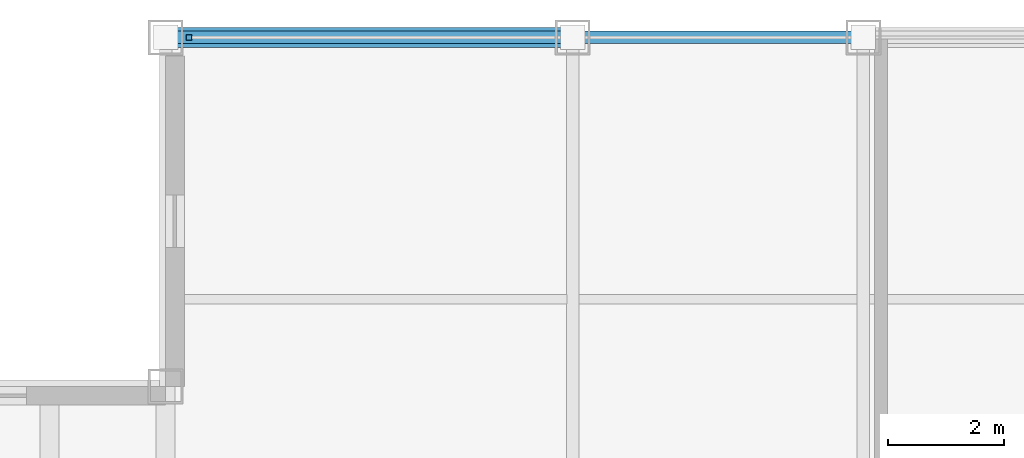
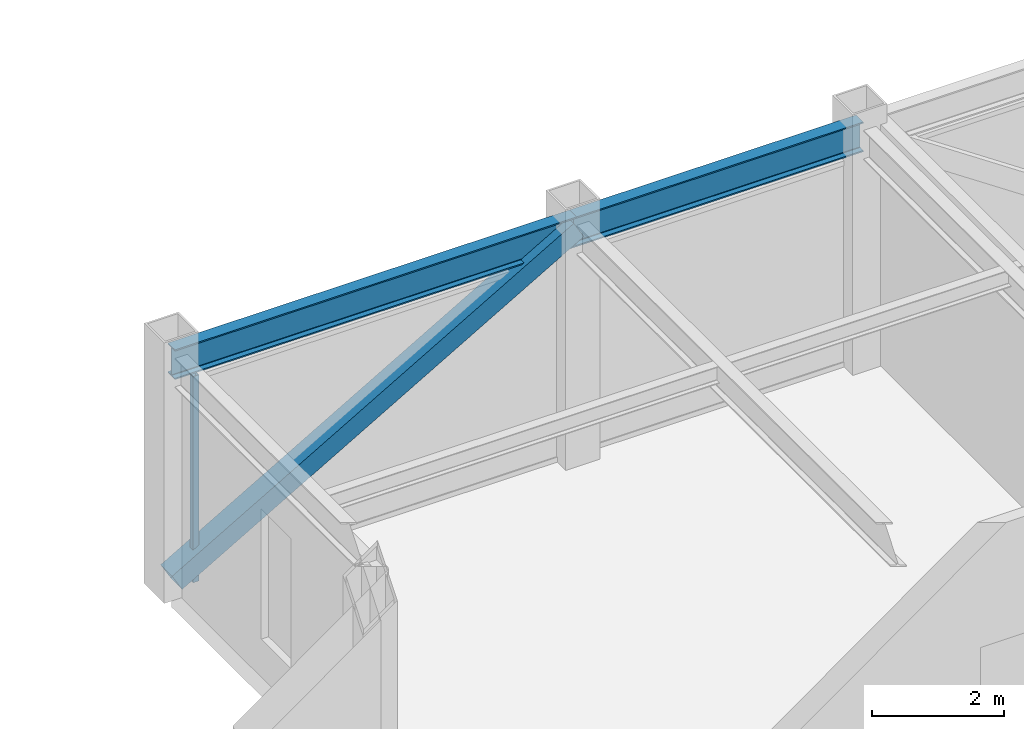
# One storey, part 16 of 27: 2 beams, 2 members, 1 element without a shape of its own.
"""IFC4 building model written with IfcOpenShell, lengths in metres."""

from ifc_helpers import new_model, si_unit, direction, frame, origin, origin_2d, place, context, subcontext, project, spatial, hollow_rectangle, i_section, extrude, source, transform, mapped, material, material_profile, profile_set, type_object, element, aggregate, save


model = new_model("IFC4")

# Units and contexts
model_context = context("Model", 3, precision=1e-05, world=origin(), true_north=direction((0.0, 1.0)))
body_context = subcontext(model_context, "Body", "Model", "MODEL_VIEW")
ifc_project = project(units=[si_unit("LENGTHUNIT", "METRE"), si_unit("AREAUNIT", "SQUARE_METRE"), si_unit("VOLUMEUNIT", "CUBIC_METRE"), si_unit("PLANEANGLEUNIT", "RADIAN"), si_unit("MASSUNIT", "GRAM", prefix="KILO")], contexts=[model_context])

# Site, building, storey
site_placement = place(None, origin())
site = spatial("IfcSite", under=ifc_project, at=site_placement, CompositionType="ELEMENT")
building_placement = place(site_placement, origin())
building = spatial("IfcBuilding", under=site, at=building_placement, Name="Khorayat Bourse Tower", CompositionType="ELEMENT")
storey_placement = place(building_placement, frame((0.0, 0.0, 380.300048828125)))
storey = spatial("IfcBuildingStorey", under=building, at=storey_placement, Name="L90", CompositionType="ELEMENT", Elevation=380.300048828125)

# Beams
ifc_material_1 = material(Name="Steel ASTM A992 Grade 50", Category="steel")
ifc_material_profile_1 = material_profile(ifc_material_1, i_section(OverallWidth=0.214111328125, OverallDepth=0.549072265625, WebThickness=0.0146484375, FlangeThickness=0.023681640625, FilletRadius=0.013916015625, at=origin_2d()), Name="W530X138")
ifc_profile_set_1 = profile_set([ifc_material_profile_1], Name="Steel ASTM A992 Grade 50")
beam_type = type_object("IfcBeamType", Name="BM-SPAN-530", PredefinedType="SPANDREL", material=ifc_profile_set_1)
shared_shape_1 = source(origin(), body_context, "Body", "SweptSolid", [
    extrude(i_section(OverallWidth=0.214111328125, OverallDepth=0.549072265625, WebThickness=0.0146484375, FlangeThickness=0.023681640625, FilletRadius=0.013916015625, at=origin_2d()), origin(), (0.0, 0.0, 1.0), 5.0),
])
beam_1_placement = place(storey_placement, frame((-11.0, 24.0, 4.175537109375), z_axis=(1.0, 0.0, 0.0), x_axis=(0.0, 1.0, 0.0)))
element("IfcBeam", 1, at=beam_1_placement, inside=storey, type_object=beam_type, Name="L90 BM-SPAN-530 BM-L90-SPN-044", PredefinedType="SPANDREL", context=body_context, shape_type="MappedRepresentation", body=[
    mapped(shared_shape_1, transform((0.0, 0.0, 0.0), scale=1.0)),
])
shared_shape_2 = source(origin(), body_context, "Body", "SweptSolid", [
    extrude(i_section(OverallWidth=0.214111328125, OverallDepth=0.549072265625, WebThickness=0.0146484375, FlangeThickness=0.023681640625, FilletRadius=0.013916015625, at=origin_2d()), origin(), (0.0, 0.0, 1.0), 7.0),
])
beam_2_placement = place(storey_placement, frame((-18.0, 24.0, 4.175537109375), z_axis=(1.0, 0.0, 0.0), x_axis=(0.0, 1.0, 0.0)))
element("IfcBeam", 2, at=beam_2_placement, inside=storey, type_object=beam_type, Name="L90 BM-SPAN-530 BM-L90-SPN-045", PredefinedType="SPANDREL", context=body_context, shape_type="MappedRepresentation", body=[
    mapped(shared_shape_2, transform((0.0, 0.0, 0.0), scale=1.0)),
])

# Member
ifc_material_2 = material(Name="Steel EN 10025-2 S355J2", Category="steel")
ifc_material_profile_2 = material_profile(ifc_material_2, hollow_rectangle(XDim=0.35009765625, YDim=0.35009765625, WallThickness=0.02001953125, at=origin_2d()), Name="HSS 350x350x20")
ifc_profile_set_2 = profile_set([ifc_material_profile_2], Name="Steel EN 10025-2 S355J2")
member_type_1 = type_object("IfcMemberType", Name="MBR-CROWN-350", PredefinedType="USERDEFINED", material=ifc_profile_set_2)
shared_shape_3 = source(origin(), body_context, "Body", "SweptSolid", [
    extrude(hollow_rectangle(XDim=0.35009765625, YDim=0.35009765625, WallThickness=0.02001953125, at=origin_2d()), origin(), (0.0, 0.0, 1.0), 8.087158203125),
])
member_1_placement = place(storey_placement, frame((-18.0, 24.0, 0.199951171875), z_axis=(0.865564731219, 0.0, 0.500797060763), x_axis=(0.0, 1.0, 0.0)))
element("IfcMember", 3, at=member_1_placement, inside=storey, type_object=member_type_1, Name="L90 Lantern Crown Frame Member 05", ObjectType="CROWN FRAME", PredefinedType="USERDEFINED", context=body_context, shape_type="MappedRepresentation", body=[
    mapped(shared_shape_3, transform((0.0, 0.0, 0.0), scale=1.0)),
])

# Curtain wall, member
ifc_material_3 = material(Name="Aluminium EN AW-6063 T6", Category="aluminium")
curtain_wall_type = type_object("IfcCurtainWallType", Name="CW-SYS-07", PredefinedType="NOTDEFINED", material=ifc_material_3)
curtain_wall_placement = place(storey_placement, origin())
curtain_wall = element("IfcCurtainWall", 4, at=curtain_wall_placement, inside=storey, type_object=curtain_wall_type, Name="L90 Curtain Wall CW-L90-N1", PredefinedType="NOTDEFINED")
ifc_material_profile_3 = material_profile(ifc_material_3, hollow_rectangle(XDim=0.10009765625, YDim=0.10009765625, WallThickness=0.0048828125, at=origin_2d()), Name="ALU 100x100x5")
ifc_profile_set_3 = profile_set([ifc_material_profile_3], Name="Aluminium EN AW-6063 T6")
member_type_2 = type_object("IfcMemberType", Name="CWM-LANTERN-100", PredefinedType="MULLION", material=ifc_profile_set_3)
shared_shape_4 = source(origin(), body_context, "Body", "SweptSolid", [
    extrude(hollow_rectangle(XDim=0.10009765625, YDim=0.10009765625, WallThickness=0.0048828125, at=origin_2d()), origin(), (0.0, 0.0, 1.0), 3.800048828125),
])
member_2_placement = place(storey_placement, frame((-17.60009765625, 24.0, 0.0), z_axis=(0.0, 0.0, 1.0), x_axis=(0.0, 1.0, 0.0)))
member_2 = element("IfcMember", 5, at=member_2_placement, type_object=member_type_2, Name="CW-L90-N1 Vertical Mullion 1", PredefinedType="MULLION", context=body_context, shape_type="MappedRepresentation", body=[
    mapped(shared_shape_4, transform((0.0, 0.0, 0.0), scale=1.0)),
])
aggregate(curtain_wall, [member_2])

save(model, "model.ifc")
